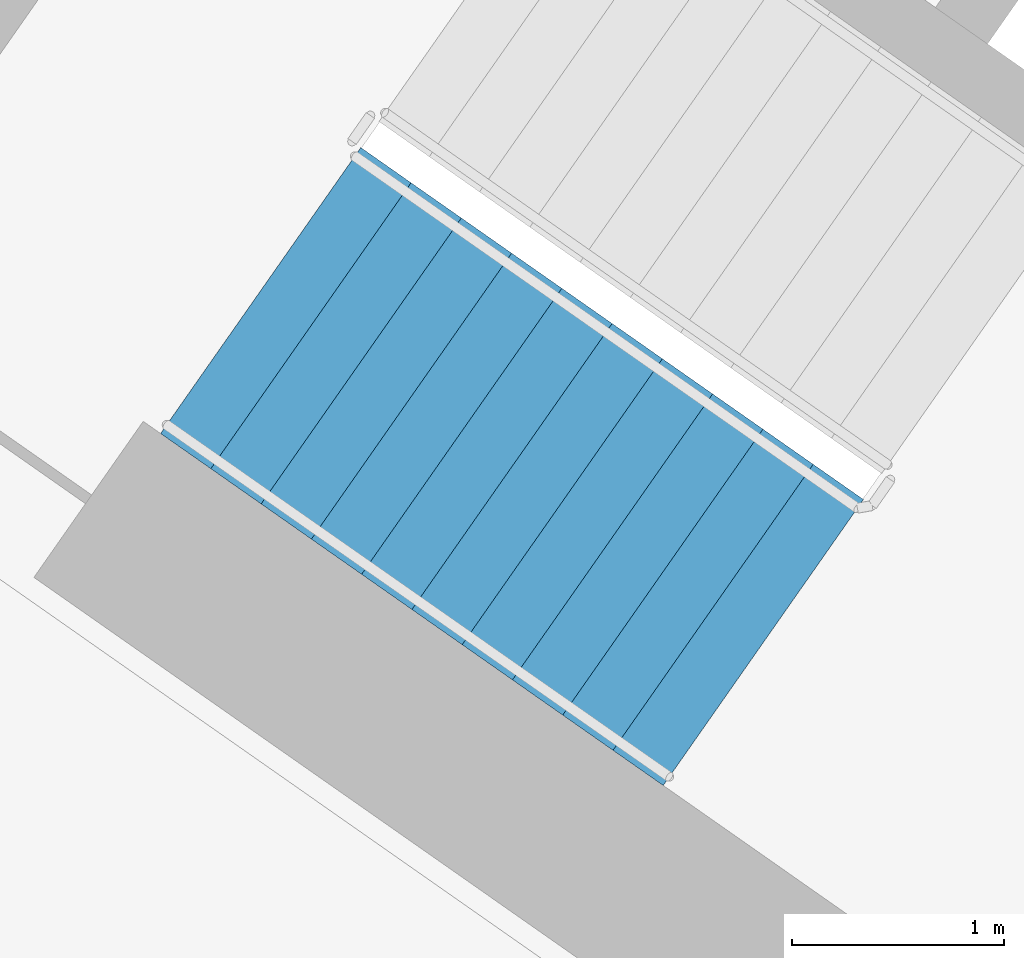
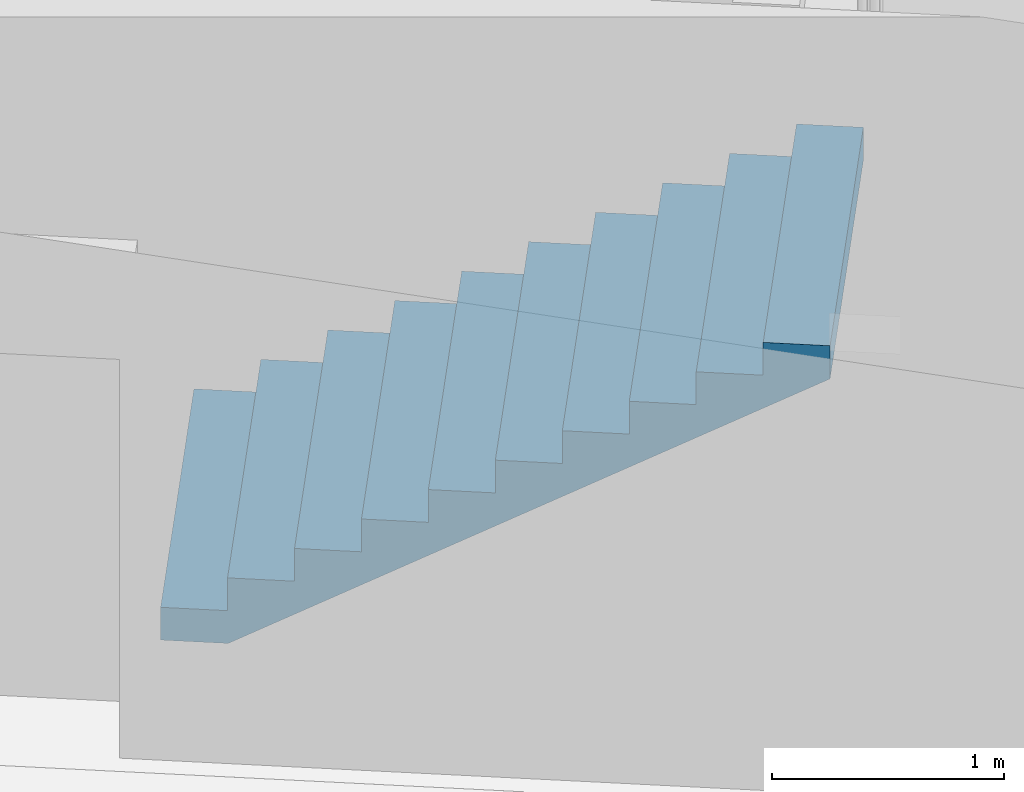
# One storey, part 11 of 33: 1 stair flight, 1 element without a shape of its own.
"""IFC4 building model written with IfcOpenShell, lengths in metres."""

from ifc_helpers import new_model, si_unit, direction, frame, origin, place, context, subcontext, project, spatial, faceted_brep, material, type_object, element, aggregate, save


model = new_model("IFC4")

# Units and contexts
model_context = context("Model", 3, precision=1e-05, world=origin(), true_north=direction((0.0, 1.0)))
body_context = subcontext(model_context, "Body", "Model", "MODEL_VIEW")
ifc_project = project(units=[si_unit("LENGTHUNIT", "METRE"), si_unit("AREAUNIT", "SQUARE_METRE"), si_unit("VOLUMEUNIT", "CUBIC_METRE"), si_unit("PLANEANGLEUNIT", "RADIAN"), si_unit("MASSUNIT", "GRAM", prefix="KILO")], contexts=[model_context])

# Site, building, storey
site_placement = place(None, origin())
site = spatial("IfcSite", under=ifc_project, at=site_placement, CompositionType="ELEMENT")
building_placement = place(site_placement, origin())
building = spatial("IfcBuilding", under=site, at=building_placement, Name="Qamariyya Broadcast Tower", CompositionType="ELEMENT")
storey_placement = place(building_placement, frame((0.0, 0.0, 78.5)))
storey = spatial("IfcBuildingStorey", under=building, at=storey_placement, Name="L16", CompositionType="ELEMENT", Elevation=78.5)

# Stair, stair flight
ifc_material = material(Name="Concrete C50/60", Category="concrete")
stair_type = type_object("IfcStairType", Name="Exit stair 22 risers of 173 mm", PredefinedType="HALF_TURN_STAIR", material=ifc_material)
stair_placement = place(storey_placement, origin())
stair = element("IfcStair", 1, at=stair_placement, inside=storey, type_object=stair_type, Name="L16 Stair W1", PredefinedType="HALF_TURN_STAIR")
stair_flight_type = type_object("IfcStairFlightType", Name="Exit stair flight 11 risers of 173 mm", PredefinedType="STRAIGHT", material=ifc_material)
stair_flight_placement = place(storey_placement, frame((-47.06884765625, -56.982666015625, 0.0), z_axis=(0.0, 0.0, 1.0), x_axis=(0.819152044289, -0.573576436351, 0.0)))
stair_flight = element("IfcStairFlight", 2, at=stair_flight_placement, type_object=stair_flight_type, Name="ST-W1 flight 1", NumberOfRisers=11, NumberOfTreads=10, PredefinedType="STRAIGHT", RiserHeight=0.172727273, TreadLength=0.29, context=body_context, shape_type="Brep", body=[
    faceted_brep([(0.0, 0.824951171875, 0.0), (0.0, 0.824951171875, 0.172607421875), (0.2900390625, 0.824951171875, 0.172607421875), (0.2900390625, 0.824951171875, 0.345458984375), (0.580078125, 0.824951171875, 0.345458984375), (0.580078125, 0.824951171875, 0.51806640625), (0.8701171875, 0.824951171875, 0.51806640625), (0.8701171875, 0.824951171875, 0.69091796875), (1.159912109375, 0.824951171875, 0.69091796875), (1.159912109375, 0.824951171875, 0.863525390625), (1.449951171875, 0.824951171875, 0.863525390625), (1.449951171875, 0.824951171875, 1.036376953125), (1.739990234375, 0.824951171875, 1.036376953125), (1.739990234375, 0.824951171875, 1.208984375), (2.030029296875, 0.824951171875, 1.208984375), (2.030029296875, 0.824951171875, 1.3818359375), (2.320068359375, 0.824951171875, 1.3818359375), (2.320068359375, 0.824951171875, 1.554443359375), (2.610107421875, 0.824951171875, 1.554443359375), (2.610107421875, 0.824951171875, 1.727294921875), (2.89990234375, 0.824951171875, 1.727294921875), (2.89990234375, 0.824951171875, 1.552734375), (0.29296875, 0.824951171875, 0.0), (0.29296875, -0.824951171875, 0.0), (2.89990234375, -0.824951171875, 1.552734375), (2.89990234375, -0.824951171875, 1.727294921875), (2.610107421875, -0.824951171875, 1.727294921875), (2.610107421875, -0.824951171875, 1.554443359375), (2.320068359375, -0.824951171875, 1.554443359375), (2.320068359375, -0.824951171875, 1.3818359375), (2.030029296875, -0.824951171875, 1.3818359375), (2.030029296875, -0.824951171875, 1.208984375), (1.739990234375, -0.824951171875, 1.208984375), (1.739990234375, -0.824951171875, 1.036376953125), (1.449951171875, -0.824951171875, 1.036376953125), (1.449951171875, -0.824951171875, 0.863525390625), (1.159912109375, -0.824951171875, 0.863525390625), (1.159912109375, -0.824951171875, 0.69091796875), (0.8701171875, -0.824951171875, 0.69091796875), (0.8701171875, -0.824951171875, 0.51806640625), (0.580078125, -0.824951171875, 0.51806640625), (0.580078125, -0.824951171875, 0.345458984375), (0.2900390625, -0.824951171875, 0.345458984375), (0.2900390625, -0.824951171875, 0.172607421875), (0.0, -0.824951171875, 0.172607421875), (0.0, -0.824951171875, 0.0), (0.0, 0.10009765625, 0.0), (0.0, 0.086669921875, 0.0), (0.0, 0.0732421875, 0.0), (0.0, 0.06005859375, 0.0), (0.0, 0.046630859375, 0.0), (0.0, 0.033447265625, 0.0), (0.0, 0.02001953125, 0.0), (0.0, 0.006591796875, 0.0), (0.0, -0.006591796875, 0.0), (0.0, -0.02001953125, 0.0), (0.0, -0.033447265625, 0.0), (0.0, -0.046630859375, 0.0), (0.0, -0.06005859375, 0.0), (0.0, -0.0732421875, 0.0), (0.0, -0.086669921875, 0.0), (0.0, -0.10009765625, 0.0), (0.0, -0.10009765625, 0.172607421875), (0.0, -0.086669921875, 0.172607421875), (0.0, -0.0732421875, 0.172607421875), (0.0, -0.06005859375, 0.172607421875), (0.0, -0.046630859375, 0.172607421875), (0.0, -0.033447265625, 0.172607421875), (0.0, -0.02001953125, 0.172607421875), (0.0, -0.006591796875, 0.172607421875), (0.0, 0.006591796875, 0.172607421875), (0.0, 0.02001953125, 0.172607421875), (0.0, 0.033447265625, 0.172607421875), (0.0, 0.046630859375, 0.172607421875), (0.0, 0.06005859375, 0.172607421875), (0.0, 0.0732421875, 0.172607421875), (0.0, 0.086669921875, 0.172607421875), (0.0, 0.10009765625, 0.172607421875), (0.2900390625, -0.10009765625, 0.172607421875), (0.2900390625, -0.086669921875, 0.172607421875), (0.2900390625, -0.0732421875, 0.172607421875), (0.2900390625, -0.06005859375, 0.172607421875), (0.2900390625, -0.046630859375, 0.172607421875), (0.2900390625, -0.033447265625, 0.172607421875), (0.2900390625, -0.02001953125, 0.172607421875), (0.2900390625, -0.006591796875, 0.172607421875), (0.2900390625, 0.006591796875, 0.172607421875), (0.2900390625, 0.02001953125, 0.172607421875), (0.2900390625, 0.033447265625, 0.172607421875), (0.2900390625, 0.046630859375, 0.172607421875), (0.2900390625, 0.06005859375, 0.172607421875), (0.2900390625, 0.0732421875, 0.172607421875), (0.2900390625, 0.086669921875, 0.172607421875), (0.2900390625, 0.10009765625, 0.172607421875), (0.2900390625, -0.10009765625, 0.345458984375), (0.2900390625, -0.086669921875, 0.345458984375), (0.2900390625, -0.0732421875, 0.345458984375), (0.2900390625, -0.06005859375, 0.345458984375), (0.2900390625, -0.046630859375, 0.345458984375), (0.2900390625, -0.033447265625, 0.345458984375), (0.2900390625, -0.02001953125, 0.345458984375), (0.2900390625, -0.006591796875, 0.345458984375), (0.2900390625, 0.006591796875, 0.345458984375), (0.2900390625, 0.02001953125, 0.345458984375), (0.2900390625, 0.033447265625, 0.345458984375), (0.2900390625, 0.046630859375, 0.345458984375), (0.2900390625, 0.06005859375, 0.345458984375), (0.2900390625, 0.0732421875, 0.345458984375), (0.2900390625, 0.086669921875, 0.345458984375), (0.2900390625, 0.10009765625, 0.345458984375), (0.580078125, -0.10009765625, 0.345458984375), (0.580078125, -0.086669921875, 0.345458984375), (0.580078125, -0.0732421875, 0.345458984375), (0.580078125, -0.06005859375, 0.345458984375), (0.580078125, -0.046630859375, 0.345458984375), (0.580078125, -0.033447265625, 0.345458984375), (0.580078125, -0.02001953125, 0.345458984375), (0.580078125, -0.006591796875, 0.345458984375), (0.580078125, 0.006591796875, 0.345458984375), (0.580078125, 0.02001953125, 0.345458984375), (0.580078125, 0.033447265625, 0.345458984375), (0.580078125, 0.046630859375, 0.345458984375), (0.580078125, 0.06005859375, 0.345458984375), (0.580078125, 0.0732421875, 0.345458984375), (0.580078125, 0.086669921875, 0.345458984375), (0.580078125, 0.10009765625, 0.345458984375), (0.580078125, -0.10009765625, 0.51806640625), (0.580078125, -0.086669921875, 0.51806640625), (0.580078125, -0.0732421875, 0.51806640625), (0.580078125, -0.06005859375, 0.51806640625), (0.580078125, -0.046630859375, 0.51806640625), (0.580078125, -0.033447265625, 0.51806640625), (0.580078125, -0.02001953125, 0.51806640625), (0.580078125, -0.006591796875, 0.51806640625), (0.580078125, 0.006591796875, 0.51806640625), (0.580078125, 0.02001953125, 0.51806640625), (0.580078125, 0.033447265625, 0.51806640625), (0.580078125, 0.046630859375, 0.51806640625), (0.580078125, 0.06005859375, 0.51806640625), (0.580078125, 0.0732421875, 0.51806640625), (0.580078125, 0.086669921875, 0.51806640625), (0.580078125, 0.10009765625, 0.51806640625), (0.8701171875, -0.10009765625, 0.51806640625), (0.8701171875, -0.086669921875, 0.51806640625), (0.8701171875, -0.0732421875, 0.51806640625), (0.8701171875, -0.06005859375, 0.51806640625), (0.8701171875, -0.046630859375, 0.51806640625), (0.8701171875, -0.033447265625, 0.51806640625), (0.8701171875, -0.02001953125, 0.51806640625), (0.8701171875, -0.006591796875, 0.51806640625), (0.8701171875, 0.006591796875, 0.51806640625), (0.8701171875, 0.02001953125, 0.51806640625), (0.8701171875, 0.033447265625, 0.51806640625), (0.8701171875, 0.046630859375, 0.51806640625), (0.8701171875, 0.06005859375, 0.51806640625), (0.8701171875, 0.0732421875, 0.51806640625), (0.8701171875, 0.086669921875, 0.51806640625), (0.8701171875, 0.10009765625, 0.51806640625), (0.8701171875, -0.10009765625, 0.69091796875), (0.8701171875, -0.086669921875, 0.69091796875), (0.8701171875, -0.0732421875, 0.69091796875), (0.8701171875, -0.06005859375, 0.69091796875), (0.8701171875, -0.046630859375, 0.69091796875), (0.8701171875, -0.033447265625, 0.69091796875), (0.8701171875, -0.02001953125, 0.69091796875), (0.8701171875, -0.006591796875, 0.69091796875), (0.8701171875, 0.006591796875, 0.69091796875), (0.8701171875, 0.02001953125, 0.69091796875), (0.8701171875, 0.033447265625, 0.69091796875), (0.8701171875, 0.046630859375, 0.69091796875), (0.8701171875, 0.06005859375, 0.69091796875), (0.8701171875, 0.0732421875, 0.69091796875), (0.8701171875, 0.086669921875, 0.69091796875), (0.8701171875, 0.10009765625, 0.69091796875), (1.159912109375, -0.10009765625, 0.69091796875), (1.159912109375, -0.086669921875, 0.69091796875), (1.159912109375, -0.0732421875, 0.69091796875), (1.159912109375, -0.06005859375, 0.69091796875), (1.159912109375, -0.046630859375, 0.69091796875), (1.159912109375, -0.033447265625, 0.69091796875), (1.159912109375, -0.02001953125, 0.69091796875), (1.159912109375, -0.006591796875, 0.69091796875), (1.159912109375, 0.006591796875, 0.69091796875), (1.159912109375, 0.02001953125, 0.69091796875), (1.159912109375, 0.033447265625, 0.69091796875), (1.159912109375, 0.046630859375, 0.69091796875), (1.159912109375, 0.06005859375, 0.69091796875), (1.159912109375, 0.0732421875, 0.69091796875), (1.159912109375, 0.086669921875, 0.69091796875), (1.159912109375, 0.10009765625, 0.69091796875), (1.159912109375, -0.10009765625, 0.863525390625), (1.159912109375, -0.086669921875, 0.863525390625), (1.159912109375, -0.0732421875, 0.863525390625), (1.159912109375, -0.06005859375, 0.863525390625), (1.159912109375, -0.046630859375, 0.863525390625), (1.159912109375, -0.033447265625, 0.863525390625), (1.159912109375, -0.02001953125, 0.863525390625), (1.159912109375, -0.006591796875, 0.863525390625), (1.159912109375, 0.006591796875, 0.863525390625), (1.159912109375, 0.02001953125, 0.863525390625), (1.159912109375, 0.033447265625, 0.863525390625), (1.159912109375, 0.046630859375, 0.863525390625), (1.159912109375, 0.06005859375, 0.863525390625), (1.159912109375, 0.0732421875, 0.863525390625), (1.159912109375, 0.086669921875, 0.863525390625), (1.159912109375, 0.10009765625, 0.863525390625), (1.449951171875, -0.10009765625, 0.863525390625), (1.449951171875, -0.086669921875, 0.863525390625), (1.449951171875, -0.0732421875, 0.863525390625), (1.449951171875, -0.06005859375, 0.863525390625), (1.449951171875, -0.046630859375, 0.863525390625), (1.449951171875, -0.033447265625, 0.863525390625), (1.449951171875, -0.02001953125, 0.863525390625), (1.449951171875, -0.006591796875, 0.863525390625), (1.449951171875, 0.006591796875, 0.863525390625), (1.449951171875, 0.02001953125, 0.863525390625), (1.449951171875, 0.033447265625, 0.863525390625), (1.449951171875, 0.046630859375, 0.863525390625), (1.449951171875, 0.06005859375, 0.863525390625), (1.449951171875, 0.0732421875, 0.863525390625), (1.449951171875, 0.086669921875, 0.863525390625), (1.449951171875, 0.10009765625, 0.863525390625), (1.449951171875, -0.10009765625, 1.036376953125), (1.449951171875, -0.086669921875, 1.036376953125), (1.449951171875, -0.0732421875, 1.036376953125), (1.449951171875, -0.06005859375, 1.036376953125), (1.449951171875, -0.046630859375, 1.036376953125), (1.449951171875, -0.033447265625, 1.036376953125), (1.449951171875, -0.02001953125, 1.036376953125), (1.449951171875, -0.006591796875, 1.036376953125), (1.449951171875, 0.006591796875, 1.036376953125), (1.449951171875, 0.02001953125, 1.036376953125), (1.449951171875, 0.033447265625, 1.036376953125), (1.449951171875, 0.046630859375, 1.036376953125), (1.449951171875, 0.06005859375, 1.036376953125), (1.449951171875, 0.0732421875, 1.036376953125), (1.449951171875, 0.086669921875, 1.036376953125), (1.449951171875, 0.10009765625, 1.036376953125), (1.739990234375, -0.10009765625, 1.036376953125), (1.739990234375, -0.086669921875, 1.036376953125), (1.739990234375, -0.0732421875, 1.036376953125), (1.739990234375, -0.06005859375, 1.036376953125), (1.739990234375, -0.046630859375, 1.036376953125), (1.739990234375, -0.033447265625, 1.036376953125), (1.739990234375, -0.02001953125, 1.036376953125), (1.739990234375, -0.006591796875, 1.036376953125), (1.739990234375, 0.006591796875, 1.036376953125), (1.739990234375, 0.02001953125, 1.036376953125), (1.739990234375, 0.033447265625, 1.036376953125), (1.739990234375, 0.046630859375, 1.036376953125), (1.739990234375, 0.06005859375, 1.036376953125), (1.739990234375, 0.0732421875, 1.036376953125), (1.739990234375, 0.086669921875, 1.036376953125), (1.739990234375, 0.10009765625, 1.036376953125), (1.739990234375, -0.10009765625, 1.208984375), (1.739990234375, -0.086669921875, 1.208984375), (1.739990234375, -0.0732421875, 1.208984375), (1.739990234375, -0.06005859375, 1.208984375), (1.739990234375, -0.046630859375, 1.208984375), (1.739990234375, -0.033447265625, 1.208984375), (1.739990234375, -0.02001953125, 1.208984375), (1.739990234375, -0.006591796875, 1.208984375), (1.739990234375, 0.006591796875, 1.208984375), (1.739990234375, 0.02001953125, 1.208984375), (1.739990234375, 0.033447265625, 1.208984375), (1.739990234375, 0.046630859375, 1.208984375), (1.739990234375, 0.06005859375, 1.208984375), (1.739990234375, 0.0732421875, 1.208984375), (1.739990234375, 0.086669921875, 1.208984375), (1.739990234375, 0.10009765625, 1.208984375), (2.030029296875, -0.10009765625, 1.208984375), (2.030029296875, -0.086669921875, 1.208984375), (2.030029296875, -0.0732421875, 1.208984375), (2.030029296875, -0.06005859375, 1.208984375), (2.030029296875, -0.046630859375, 1.208984375), (2.030029296875, -0.033447265625, 1.208984375), (2.030029296875, -0.02001953125, 1.208984375), (2.030029296875, -0.006591796875, 1.208984375), (2.030029296875, 0.006591796875, 1.208984375), (2.030029296875, 0.02001953125, 1.208984375), (2.030029296875, 0.033447265625, 1.208984375), (2.030029296875, 0.046630859375, 1.208984375), (2.030029296875, 0.06005859375, 1.208984375), (2.030029296875, 0.0732421875, 1.208984375), (2.030029296875, 0.086669921875, 1.208984375), (2.030029296875, 0.10009765625, 1.208984375), (2.030029296875, -0.10009765625, 1.3818359375), (2.030029296875, -0.086669921875, 1.3818359375), (2.030029296875, -0.0732421875, 1.3818359375), (2.030029296875, -0.06005859375, 1.3818359375), (2.030029296875, -0.046630859375, 1.3818359375), (2.030029296875, -0.033447265625, 1.3818359375), (2.030029296875, -0.02001953125, 1.3818359375), (2.030029296875, -0.006591796875, 1.3818359375), (2.030029296875, 0.006591796875, 1.3818359375), (2.030029296875, 0.02001953125, 1.3818359375), (2.030029296875, 0.033447265625, 1.3818359375), (2.030029296875, 0.046630859375, 1.3818359375), (2.030029296875, 0.06005859375, 1.3818359375), (2.030029296875, 0.0732421875, 1.3818359375), (2.030029296875, 0.086669921875, 1.3818359375), (2.030029296875, 0.10009765625, 1.3818359375), (2.320068359375, -0.10009765625, 1.3818359375), (2.320068359375, -0.086669921875, 1.3818359375), (2.320068359375, -0.0732421875, 1.3818359375), (2.320068359375, -0.06005859375, 1.3818359375), (2.320068359375, -0.046630859375, 1.3818359375), (2.320068359375, -0.033447265625, 1.3818359375), (2.320068359375, -0.02001953125, 1.3818359375), (2.320068359375, -0.006591796875, 1.3818359375), (2.320068359375, 0.006591796875, 1.3818359375), (2.320068359375, 0.02001953125, 1.3818359375), (2.320068359375, 0.033447265625, 1.3818359375), (2.320068359375, 0.046630859375, 1.3818359375), (2.320068359375, 0.06005859375, 1.3818359375), (2.320068359375, 0.0732421875, 1.3818359375), (2.320068359375, 0.086669921875, 1.3818359375), (2.320068359375, 0.10009765625, 1.3818359375), (2.320068359375, -0.10009765625, 1.554443359375), (2.320068359375, -0.086669921875, 1.554443359375), (2.320068359375, -0.0732421875, 1.554443359375), (2.320068359375, -0.06005859375, 1.554443359375), (2.320068359375, -0.046630859375, 1.554443359375), (2.320068359375, -0.033447265625, 1.554443359375), (2.320068359375, -0.02001953125, 1.554443359375), (2.320068359375, -0.006591796875, 1.554443359375), (2.320068359375, 0.006591796875, 1.554443359375), (2.320068359375, 0.02001953125, 1.554443359375), (2.320068359375, 0.033447265625, 1.554443359375), (2.320068359375, 0.046630859375, 1.554443359375), (2.320068359375, 0.06005859375, 1.554443359375), (2.320068359375, 0.0732421875, 1.554443359375), (2.320068359375, 0.086669921875, 1.554443359375), (2.320068359375, 0.10009765625, 1.554443359375), (2.610107421875, -0.10009765625, 1.554443359375), (2.610107421875, -0.086669921875, 1.554443359375), (2.610107421875, -0.0732421875, 1.554443359375), (2.610107421875, -0.06005859375, 1.554443359375), (2.610107421875, -0.046630859375, 1.554443359375), (2.610107421875, -0.033447265625, 1.554443359375), (2.610107421875, -0.02001953125, 1.554443359375), (2.610107421875, -0.006591796875, 1.554443359375), (2.610107421875, 0.006591796875, 1.554443359375), (2.610107421875, 0.02001953125, 1.554443359375), (2.610107421875, 0.033447265625, 1.554443359375), (2.610107421875, 0.046630859375, 1.554443359375), (2.610107421875, 0.06005859375, 1.554443359375), (2.610107421875, 0.0732421875, 1.554443359375), (2.610107421875, 0.086669921875, 1.554443359375), (2.610107421875, 0.10009765625, 1.554443359375), (2.610107421875, -0.10009765625, 1.727294921875), (2.610107421875, -0.086669921875, 1.727294921875), (2.610107421875, -0.0732421875, 1.727294921875), (2.610107421875, -0.06005859375, 1.727294921875), (2.610107421875, -0.046630859375, 1.727294921875), (2.610107421875, -0.033447265625, 1.727294921875), (2.610107421875, -0.02001953125, 1.727294921875), (2.610107421875, -0.006591796875, 1.727294921875), (2.610107421875, 0.006591796875, 1.727294921875), (2.610107421875, 0.02001953125, 1.727294921875), (2.610107421875, 0.033447265625, 1.727294921875), (2.610107421875, 0.046630859375, 1.727294921875), (2.610107421875, 0.06005859375, 1.727294921875), (2.610107421875, 0.0732421875, 1.727294921875), (2.610107421875, 0.086669921875, 1.727294921875), (2.610107421875, 0.10009765625, 1.727294921875), (2.89990234375, -0.10009765625, 1.727294921875), (2.89990234375, -0.086669921875, 1.727294921875), (2.89990234375, -0.0732421875, 1.727294921875), (2.89990234375, -0.06005859375, 1.727294921875), (2.89990234375, -0.046630859375, 1.727294921875), (2.89990234375, -0.033447265625, 1.727294921875), (2.89990234375, -0.02001953125, 1.727294921875), (2.89990234375, -0.006591796875, 1.727294921875), (2.89990234375, 0.006591796875, 1.727294921875), (2.89990234375, 0.02001953125, 1.727294921875), (2.89990234375, 0.033447265625, 1.727294921875), (2.89990234375, 0.046630859375, 1.727294921875), (2.89990234375, 0.06005859375, 1.727294921875), (2.89990234375, 0.0732421875, 1.727294921875), (2.89990234375, 0.086669921875, 1.727294921875), (2.89990234375, 0.10009765625, 1.727294921875), (2.89990234375, -0.10009765625, 1.552734375), (2.89990234375, -0.086669921875, 1.552734375), (2.89990234375, -0.0732421875, 1.552734375), (2.89990234375, -0.06005859375, 1.552734375), (2.89990234375, -0.046630859375, 1.552734375), (2.89990234375, -0.033447265625, 1.552734375), (2.89990234375, -0.02001953125, 1.552734375), (2.89990234375, -0.006591796875, 1.552734375), (2.89990234375, 0.006591796875, 1.552734375), (2.89990234375, 0.02001953125, 1.552734375), (2.89990234375, 0.033447265625, 1.552734375), (2.89990234375, 0.046630859375, 1.552734375), (2.89990234375, 0.06005859375, 1.552734375), (2.89990234375, 0.0732421875, 1.552734375), (2.89990234375, 0.086669921875, 1.552734375), (2.89990234375, 0.10009765625, 1.552734375), (0.29296875, -0.10009765625, 0.0), (0.29296875, -0.086669921875, 0.0), (0.29296875, -0.0732421875, 0.0), (0.29296875, -0.06005859375, 0.0), (0.29296875, -0.046630859375, 0.0), (0.29296875, -0.033447265625, 0.0), (0.29296875, -0.02001953125, 0.0), (0.29296875, -0.006591796875, 0.0), (0.29296875, 0.006591796875, 0.0), (0.29296875, 0.02001953125, 0.0), (0.29296875, 0.033447265625, 0.0), (0.29296875, 0.046630859375, 0.0), (0.29296875, 0.06005859375, 0.0), (0.29296875, 0.0732421875, 0.0), (0.29296875, 0.086669921875, 0.0), (0.29296875, 0.10009765625, 0.0)], [[[0, 1, 2, 3, 4, 5, 6, 7, 8, 9, 10, 11, 12, 13, 14, 15, 16, 17, 18, 19, 20, 21, 22]], [[23, 24, 25, 26, 27, 28, 29, 30, 31, 32, 33, 34, 35, 36, 37, 38, 39, 40, 41, 42, 43, 44, 45]], [[0, 46, 47, 48, 49, 50, 51, 52, 53, 54, 55, 56, 57, 58, 59, 60, 61, 45, 44, 62, 63, 64, 65, 66, 67, 68, 69, 70, 71, 72, 73, 74, 75, 76, 77, 1]], [[1, 77, 76, 75, 74, 73, 72, 71, 70, 69, 68, 67, 66, 65, 64, 63, 62, 44, 43, 78, 79, 80, 81, 82, 83, 84, 85, 86, 87, 88, 89, 90, 91, 92, 93, 2]], [[2, 93, 92, 91, 90, 89, 88, 87, 86, 85, 84, 83, 82, 81, 80, 79, 78, 43, 42, 94, 95, 96, 97, 98, 99, 100, 101, 102, 103, 104, 105, 106, 107, 108, 109, 3]], [[3, 109, 108, 107, 106, 105, 104, 103, 102, 101, 100, 99, 98, 97, 96, 95, 94, 42, 41, 110, 111, 112, 113, 114, 115, 116, 117, 118, 119, 120, 121, 122, 123, 124, 125, 4]], [[4, 125, 124, 123, 122, 121, 120, 119, 118, 117, 116, 115, 114, 113, 112, 111, 110, 41, 40, 126, 127, 128, 129, 130, 131, 132, 133, 134, 135, 136, 137, 138, 139, 140, 141, 5]], [[5, 141, 140, 139, 138, 137, 136, 135, 134, 133, 132, 131, 130, 129, 128, 127, 126, 40, 39, 142, 143, 144, 145, 146, 147, 148, 149, 150, 151, 152, 153, 154, 155, 156, 157, 6]], [[6, 157, 156, 155, 154, 153, 152, 151, 150, 149, 148, 147, 146, 145, 144, 143, 142, 39, 38, 158, 159, 160, 161, 162, 163, 164, 165, 166, 167, 168, 169, 170, 171, 172, 173, 7]], [[7, 173, 172, 171, 170, 169, 168, 167, 166, 165, 164, 163, 162, 161, 160, 159, 158, 38, 37, 174, 175, 176, 177, 178, 179, 180, 181, 182, 183, 184, 185, 186, 187, 188, 189, 8]], [[8, 189, 188, 187, 186, 185, 184, 183, 182, 181, 180, 179, 178, 177, 176, 175, 174, 37, 36, 190, 191, 192, 193, 194, 195, 196, 197, 198, 199, 200, 201, 202, 203, 204, 205, 9]], [[9, 205, 204, 203, 202, 201, 200, 199, 198, 197, 196, 195, 194, 193, 192, 191, 190, 36, 35, 206, 207, 208, 209, 210, 211, 212, 213, 214, 215, 216, 217, 218, 219, 220, 221, 10]], [[10, 221, 220, 219, 218, 217, 216, 215, 214, 213, 212, 211, 210, 209, 208, 207, 206, 35, 34, 222, 223, 224, 225, 226, 227, 228, 229, 230, 231, 232, 233, 234, 235, 236, 237, 11]], [[11, 237, 236, 235, 234, 233, 232, 231, 230, 229, 228, 227, 226, 225, 224, 223, 222, 34, 33, 238, 239, 240, 241, 242, 243, 244, 245, 246, 247, 248, 249, 250, 251, 252, 253, 12]], [[12, 253, 252, 251, 250, 249, 248, 247, 246, 245, 244, 243, 242, 241, 240, 239, 238, 33, 32, 254, 255, 256, 257, 258, 259, 260, 261, 262, 263, 264, 265, 266, 267, 268, 269, 13]], [[13, 269, 268, 267, 266, 265, 264, 263, 262, 261, 260, 259, 258, 257, 256, 255, 254, 32, 31, 270, 271, 272, 273, 274, 275, 276, 277, 278, 279, 280, 281, 282, 283, 284, 285, 14]], [[14, 285, 284, 283, 282, 281, 280, 279, 278, 277, 276, 275, 274, 273, 272, 271, 270, 31, 30, 286, 287, 288, 289, 290, 291, 292, 293, 294, 295, 296, 297, 298, 299, 300, 301, 15]], [[15, 301, 300, 299, 298, 297, 296, 295, 294, 293, 292, 291, 290, 289, 288, 287, 286, 30, 29, 302, 303, 304, 305, 306, 307, 308, 309, 310, 311, 312, 313, 314, 315, 316, 317, 16]], [[16, 317, 316, 315, 314, 313, 312, 311, 310, 309, 308, 307, 306, 305, 304, 303, 302, 29, 28, 318, 319, 320, 321, 322, 323, 324, 325, 326, 327, 328, 329, 330, 331, 332, 333, 17]], [[17, 333, 332, 331, 330, 329, 328, 327, 326, 325, 324, 323, 322, 321, 320, 319, 318, 28, 27, 334, 335, 336, 337, 338, 339, 340, 341, 342, 343, 344, 345, 346, 347, 348, 349, 18]], [[18, 349, 348, 347, 346, 345, 344, 343, 342, 341, 340, 339, 338, 337, 336, 335, 334, 27, 26, 350, 351, 352, 353, 354, 355, 356, 357, 358, 359, 360, 361, 362, 363, 364, 365, 19]], [[19, 365, 364, 363, 362, 361, 360, 359, 358, 357, 356, 355, 354, 353, 352, 351, 350, 26, 25, 366, 367, 368, 369, 370, 371, 372, 373, 374, 375, 376, 377, 378, 379, 380, 381, 20]], [[20, 381, 380, 379, 378, 377, 376, 375, 374, 373, 372, 371, 370, 369, 368, 367, 366, 25, 24, 382, 383, 384, 385, 386, 387, 388, 389, 390, 391, 392, 393, 394, 395, 396, 397, 21]], [[21, 397, 396, 395, 394, 393, 392, 391, 390, 389, 388, 387, 386, 385, 384, 383, 382, 24, 23, 398, 399, 400, 401, 402, 403, 404, 405, 406, 407, 408, 409, 410, 411, 412, 413, 22]], [[22, 413, 412, 411, 410, 409, 408, 407, 406, 405, 404, 403, 402, 401, 400, 399, 398, 23, 45, 61, 60, 59, 58, 57, 56, 55, 54, 53, 52, 51, 50, 49, 48, 47, 46, 0]]]),
])
aggregate(stair, [stair_flight])

save(model, "model.ifc")
